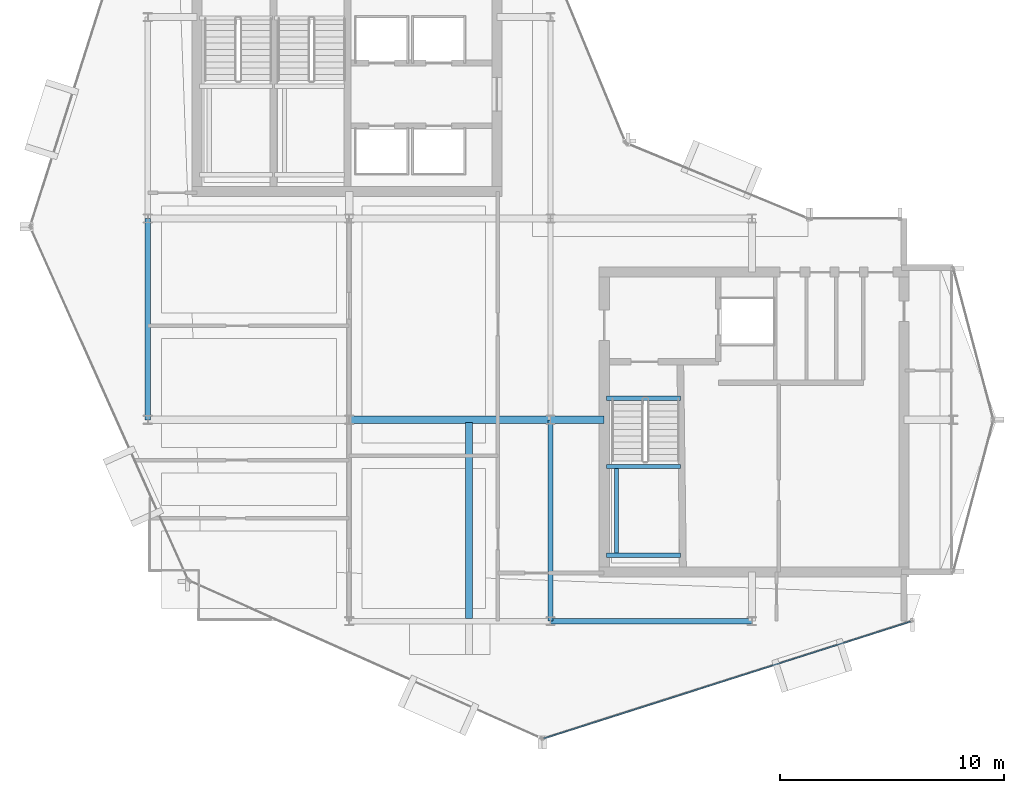
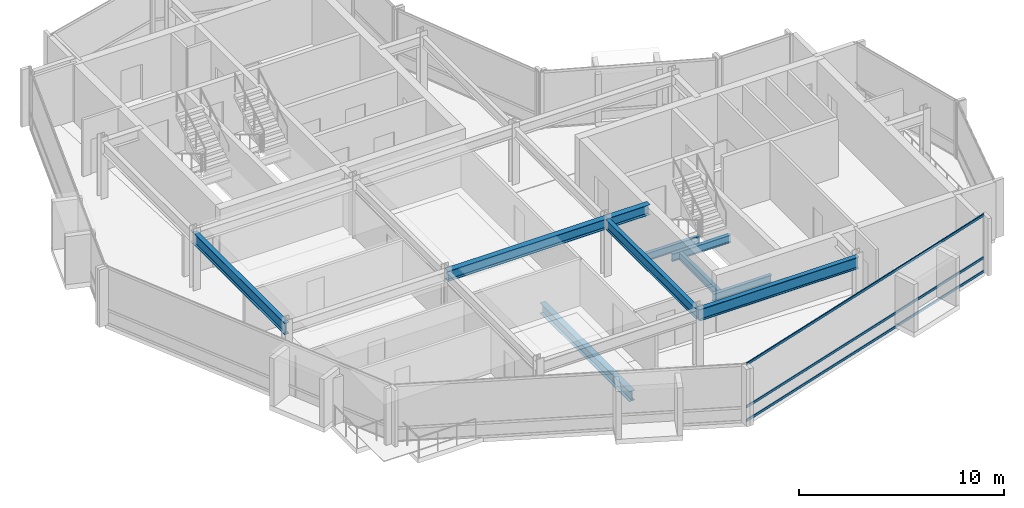
# One storey, part 5 of 19: 10 beams, 3 members, 1 element without a shape of its own.
"""IFC4 building model written with IfcOpenShell, lengths in metres."""

from ifc_helpers import new_model, si_unit, direction, frame, origin, origin_2d, place, context, subcontext, project, spatial, hollow_rectangle, i_section, extrude, material, layer, layer_set, material_profile, profile_set, type_object, element, aggregate, save


model = new_model("IFC4")

# Units and contexts
model_context = context("Model", 3, precision=1e-05, world=origin(), true_north=direction((0.0, 1.0)))
body_context = subcontext(model_context, "Body", "Model", "MODEL_VIEW")
ifc_project = project(units=[si_unit("LENGTHUNIT", "METRE"), si_unit("AREAUNIT", "SQUARE_METRE"), si_unit("VOLUMEUNIT", "CUBIC_METRE"), si_unit("PLANEANGLEUNIT", "RADIAN"), si_unit("MASSUNIT", "GRAM", prefix="KILO")], contexts=[model_context])

# Site, building, storey
site_placement = place(None, origin())
site = spatial("IfcSite", under=ifc_project, at=site_placement, CompositionType="ELEMENT")
building_placement = place(site_placement, origin())
building = spatial("IfcBuilding", under=site, at=building_placement, Name="Solvaryn Broadcast Tower", CompositionType="ELEMENT")
storey_placement = place(building_placement, frame((0.0, 0.0, 240.800048828125)))
storey = spatial("IfcBuildingStorey", under=building, at=storey_placement, Name="L60", CompositionType="ELEMENT", Elevation=240.800048828125)

# Beams
ifc_material_1 = material(Name="Steel ASTM A992 Grade 50", Category="steel")
ifc_material_profile_1 = material_profile(ifc_material_1, i_section(OverallWidth=0.323974609375, OverallDepth=0.611083984375, WebThickness=0.0126953125, FlangeThickness=0.01904296875, FilletRadius=0.014892578125, at=origin_2d()))
ifc_profile_set_1 = profile_set([ifc_material_profile_1], Name="Steel ASTM A992 Grade 50")
beam_type_1 = type_object("IfcBeamType", Name="BM-B1-W24X104", PredefinedType="BEAM", material=ifc_profile_set_1)
beam_1_placement = place(storey_placement, frame((23.35009765625, 17.875, -0.58544921875), z_axis=(0.0, -1.0, 0.0), x_axis=(1.0, 0.0, 0.0)))
element("IfcBeam", 1, at=beam_1_placement, inside=storey, type_object=beam_type_1, Name="L60 Bay-Box Back-Span Beam 1", PredefinedType="BEAM", context=body_context, shape_type="SweptSolid", body=[
    extrude(i_section(OverallWidth=0.323974609375, OverallDepth=0.611083984375, WebThickness=0.0126953125, FlangeThickness=0.01904296875, FilletRadius=0.014892578125, at=origin_2d()), origin(), (0.0, 0.0, 1.0), 8.75),
])
beam_2_placement = place(storey_placement, frame((18.0, 18.0, 3.114501953125), z_axis=(1.0, 0.0, 0.0), x_axis=(0.0, 1.0, 0.0)))
element("IfcBeam", 2, at=beam_2_placement, inside=storey, type_object=beam_type_1, Name="L60 Primary Beam X (18-27 @ Y=18)", PredefinedType="BEAM", context=body_context, shape_type="SweptSolid", body=[
    extrude(i_section(OverallWidth=0.323974609375, OverallDepth=0.611083984375, WebThickness=0.0126953125, FlangeThickness=0.01904296875, FilletRadius=0.014892578125, at=origin_2d()), origin(), (0.0, 0.0, 1.0), 9.0),
])
beam_3_placement = place(storey_placement, frame((27.0, 18.0, 3.114501953125), z_axis=(1.0, 0.0, 0.0), x_axis=(0.0, 1.0, 0.0)))
element("IfcBeam", 3, at=beam_3_placement, inside=storey, type_object=beam_type_1, Name="L60 Core Tie Beam CTE4", PredefinedType="BEAM", context=body_context, shape_type="SweptSolid", body=[
    extrude(i_section(OverallWidth=0.323974609375, OverallDepth=0.611083984375, WebThickness=0.0126953125, FlangeThickness=0.01904296875, FilletRadius=0.014892578125, at=origin_2d()), origin(), (0.0, 0.0, 1.0), 2.39990234375),
])
ifc_material_2 = material(Name="Steel ASTM A992 Grade 50", Category="steel")
ifc_material_profile_2 = material_profile(ifc_material_2, i_section(OverallWidth=0.22802734375, OverallDepth=0.60791015625, WebThickness=0.01123046875, FlangeThickness=0.017333984375, FilletRadius=0.014892578125, at=origin_2d()))
ifc_profile_set_2 = profile_set([ifc_material_profile_2], Name="Steel ASTM A992 Grade 50")
beam_type_2 = type_object("IfcBeamType", Name="BM-B2-W24X76", PredefinedType="BEAM", material=ifc_profile_set_2)
beam_4_placement = place(storey_placement, frame((27.0, 9.0, 3.115966796875), z_axis=(0.0, 1.0, 0.0), x_axis=(-1.0, 0.0, 0.0)))
element("IfcBeam", 4, at=beam_4_placement, inside=storey, type_object=beam_type_2, Name="L60 Primary Beam Y (9-18 @ X=27)", PredefinedType="BEAM", context=body_context, shape_type="SweptSolid", body=[
    extrude(i_section(OverallWidth=0.22802734375, OverallDepth=0.60791015625, WebThickness=0.01123046875, FlangeThickness=0.017333984375, FilletRadius=0.014892578125, at=origin_2d()), origin(), (0.0, 0.0, 1.0), 9.0),
])
ifc_material_3 = material(Name="Steel ASTM A992 Grade 50", Category="steel")
ifc_material_profile_3 = material_profile(ifc_material_3, i_section(OverallWidth=0.18994140625, OverallDepth=0.45703125, WebThickness=0.009033203125, FlangeThickness=0.014404296875, FilletRadius=0.011962890625, at=origin_2d()))
ifc_profile_set_3 = profile_set([ifc_material_profile_3], Name="Steel ASTM A992 Grade 50")
beam_type_3 = type_object("IfcBeamType", Name="BM-B4-W18X50", PredefinedType="BEAM", material=ifc_profile_set_3)
for number, where, z_axis, x_axis, name in (
    (5, (29.5, 18.9599609375, -0.508544921875), (1.0, 0.0, 0.0), (0.0, 1.0, 0.0), "L60 ST3 Stair Well Trimmer Beam"),
    (6, (29.5, 11.949951171875, 1.42138671875), (1.0, 0.0, 0.0), (0.0, 1.0, 0.0), "L60 ST3 Landing Support Beam 1A"),
    (7, (29.5, 15.909912109375, 1.42138671875), (1.0, 0.0, 0.0), (0.0, 1.0, 0.0), "L60 ST3 Landing Support Beam 1B"),
):
    element("IfcBeam", number, at=place(storey_placement, frame(where, z_axis=z_axis, x_axis=x_axis)), inside=storey, type_object=beam_type_3, Name=name, PredefinedType="BEAM", context=body_context, shape_type="SweptSolid", body=[
        extrude(i_section(OverallWidth=0.18994140625, OverallDepth=0.45703125, WebThickness=0.009033203125, FlangeThickness=0.014404296875, FilletRadius=0.011962890625, at=origin_2d()), origin(), (0.0, 0.0, 1.0), 3.320068359375),
    ])
beam_5_placement = place(storey_placement, frame((29.949951171875, 11.949951171875, 1.42138671875), z_axis=(0.0, 1.0, 0.0), x_axis=(-1.0, 0.0, 0.0)))
element("IfcBeam", 8, at=beam_5_placement, inside=storey, type_object=beam_type_3, Name="L60 ST3 Landing Cross Stringer 1C", PredefinedType="BEAM", context=body_context, shape_type="SweptSolid", body=[
    extrude(i_section(OverallWidth=0.18994140625, OverallDepth=0.45703125, WebThickness=0.009033203125, FlangeThickness=0.014404296875, FilletRadius=0.011962890625, at=origin_2d()), origin(), (0.0, 0.0, 1.0), 3.9599609375),
])
ifc_material_4 = material(Name="Steel ASTM A992 Grade 50", Category="steel")
ifc_material_profile_4 = material_profile(ifc_material_4, i_section(OverallWidth=0.256103515625, OverallDepth=0.693115234375, WebThickness=0.014404296875, FlangeThickness=0.023681640625, FilletRadius=0.01611328125, at=origin_2d()))
ifc_profile_set_4 = profile_set([ifc_material_profile_4], Name="Steel ASTM A992 Grade 50")
beam_type_4 = type_object("IfcBeamType", Name="BM-SP3-W27X114", PredefinedType="USERDEFINED", material=ifc_profile_set_4)
for number, where, z_axis, x_axis, name in (
    (9, (27.0, 9.0, 3.073486328125), (1.0, 0.0, 0.0), (0.0, 1.0, 0.0), "L60 Spandrel Beam X (27-36 @ Y=9)"),
    (10, (9.0, 18.0, 3.073486328125), (0.0, 1.0, 0.0), (-1.0, 0.0, 0.0), "L60 Spandrel Beam Y (18-27 @ X=9)"),
):
    element("IfcBeam", number, at=place(storey_placement, frame(where, z_axis=z_axis, x_axis=x_axis)), inside=storey, type_object=beam_type_4, Name=name, ObjectType="SPANDREL", PredefinedType="USERDEFINED", context=body_context, shape_type="SweptSolid", body=[
        extrude(i_section(OverallWidth=0.256103515625, OverallDepth=0.693115234375, WebThickness=0.014404296875, FlangeThickness=0.023681640625, FilletRadius=0.01611328125, at=origin_2d()), origin(), (0.0, 0.0, 1.0), 9.0),
    ])

# Curtain wall, members
ifc_material_5 = material(Name="Aluminium and Terracotta Unitised Curtain Wall", Category="masonry")
ifc_layer = layer(ifc_material_5, 0.199951171875)
ifc_layer_set = layer_set([ifc_layer], Name="CW-SYS2-LOWMID")
curtain_wall_type = type_object("IfcCurtainWallType", Name="CW-SYS2-LOWMID", PredefinedType="NOTDEFINED", material=ifc_layer_set)
curtain_wall_placement = place(storey_placement, origin())
curtain_wall = element("IfcCurtainWall", 11, at=curtain_wall_placement, inside=storey, type_object=curtain_wall_type, Name="L60 Curtain Wall DR4", PredefinedType="NOTDEFINED")
ifc_material_6 = material(Name="Anodised Aluminium 6063-T6", Category="aluminium")
ifc_material_profile_5 = material_profile(ifc_material_6, hollow_rectangle(XDim=0.06494140625, YDim=0.14990234375, WallThickness=0.00390625, InnerFilletRadius=0.00390625, OuterFilletRadius=0.008056640625, at=origin_2d()))
ifc_profile_set_5 = profile_set([ifc_material_profile_5], Name="Anodised Aluminium 6063-T6")
member_type = type_object("IfcMemberType", Name="CW-TRN-150", PredefinedType="USERDEFINED", material=ifc_profile_set_5)
member_1_placement = place(storey_placement, frame((26.693115234375, 3.756103515625, 0.030029296875), z_axis=(0.952794352661, 0.303616405252, 0.0), x_axis=(-0.303616405252, 0.952794352661, 0.0)))
member_1 = element("IfcMember", 12, at=member_1_placement, type_object=member_type, Name="CWS2 transom 1.1", ObjectType="TRANSOM", PredefinedType="USERDEFINED", context=body_context, shape_type="SweptSolid", body=[
    extrude(hollow_rectangle(XDim=0.06494140625, YDim=0.14990234375, WallThickness=0.00390625, InnerFilletRadius=0.00390625, OuterFilletRadius=0.008056640625, at=origin_2d()), origin(), (0.0, 0.0, 1.0), 17.211181640625),
])
member_2_placement = place(storey_placement, frame((26.693115234375, 3.756103515625, 0.849853515625), z_axis=(0.952794352661, 0.303616405252, 0.0), x_axis=(-0.303616405252, 0.952794352661, 0.0)))
member_2 = element("IfcMember", 13, at=member_2_placement, type_object=member_type, Name="CWS2 transom 1.2", ObjectType="TRANSOM", PredefinedType="USERDEFINED", context=body_context, shape_type="SweptSolid", body=[
    extrude(hollow_rectangle(XDim=0.06494140625, YDim=0.14990234375, WallThickness=0.00390625, InnerFilletRadius=0.00390625, OuterFilletRadius=0.008056640625, at=origin_2d()), origin(), (0.0, 0.0, 1.0), 17.211181640625),
])
member_3_placement = place(storey_placement, frame((26.693115234375, 3.756103515625, 3.389892578125), z_axis=(0.952794352661, 0.303616405252, 0.0), x_axis=(-0.303616405252, 0.952794352661, 0.0)))
member_3 = element("IfcMember", 14, at=member_3_placement, type_object=member_type, Name="CWS2 transom 1.3", ObjectType="TRANSOM", PredefinedType="USERDEFINED", context=body_context, shape_type="SweptSolid", body=[
    extrude(hollow_rectangle(XDim=0.06494140625, YDim=0.14990234375, WallThickness=0.00390625, InnerFilletRadius=0.00390625, OuterFilletRadius=0.008056640625, at=origin_2d()), origin(), (0.0, 0.0, 1.0), 17.211181640625),
])
aggregate(curtain_wall, [member_1, member_2, member_3])

save(model, "model.ifc")
